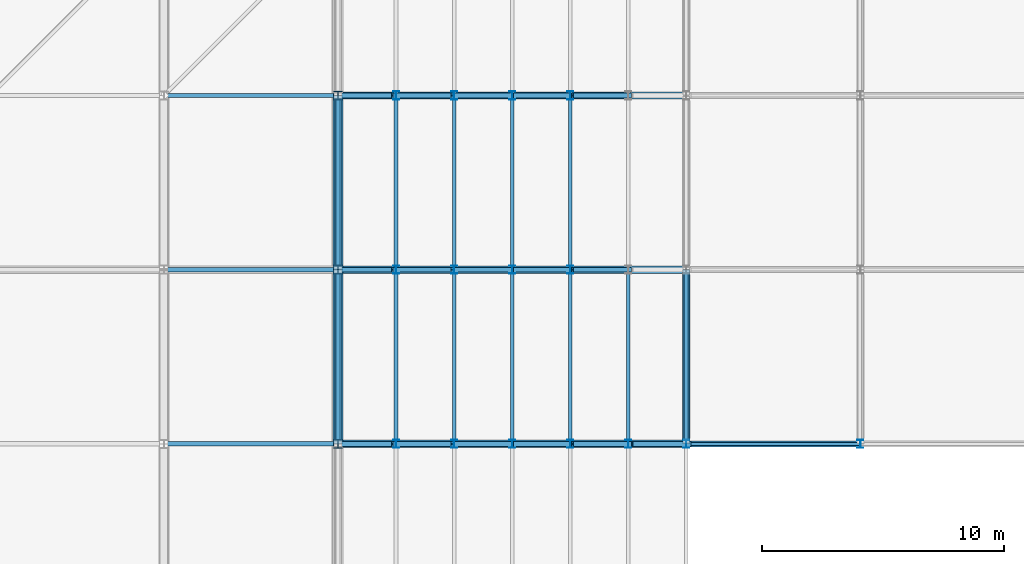
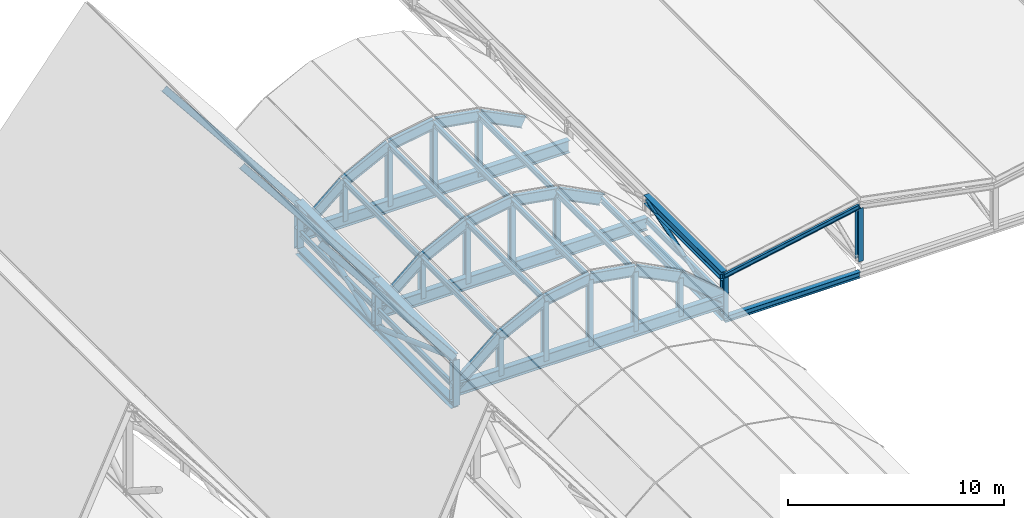
# One storey, part 33 of 60: 59 members, 4 beams.
"""IFC4 building model written with IfcOpenShell, lengths in metres."""

from ifc_helpers import new_model, si_unit, direction, frame, origin, origin_2d, place, context, subcontext, project, spatial, hollow_circle, i_section, extrude, material, material_profile, profile_set, type_object, element, save


model = new_model("IFC4")

# Units and contexts
model_context = context("Model", 3, precision=1e-05, world=origin(), true_north=direction((0.0, 1.0)))
body_context = subcontext(model_context, "Body", "Model", "MODEL_VIEW")
ifc_project = project(units=[si_unit("LENGTHUNIT", "METRE"), si_unit("AREAUNIT", "SQUARE_METRE"), si_unit("VOLUMEUNIT", "CUBIC_METRE"), si_unit("PLANEANGLEUNIT", "RADIAN"), si_unit("MASSUNIT", "GRAM", prefix="KILO")], contexts=[model_context])

# Site, building, storey
site_placement = place(None, origin())
site = spatial("IfcSite", under=ifc_project, at=site_placement, CompositionType="ELEMENT")
building_placement = place(site_placement, origin())
building = spatial("IfcBuilding", under=site, at=building_placement, Name="Vesperath Aquatics Centre", CompositionType="ELEMENT")
storey_placement = place(building_placement, frame((0.0, 0.0, 27.60009765625)))
storey = spatial("IfcBuildingStorey", under=building, at=storey_placement, Name="RF", CompositionType="ELEMENT", Elevation=27.60009765625)

# Beams
ifc_material_1 = material(Name="Steel Q355C", Category="steel")
ifc_material_profile_1 = material_profile(ifc_material_1, i_section(OverallWidth=0.25, OverallDepth=0.340087890625, WebThickness=0.009033203125, FlangeThickness=0.013916015625, FilletRadius=0.02001953125, at=origin_2d()), Name="HM 340x250x9x14")
ifc_profile_set_1 = profile_set([ifc_material_profile_1], Name="Steel Q355C")
beam_type_1 = type_object("IfcBeamType", Name="BM-RB04", PredefinedType="BEAM", material=ifc_profile_set_1)
beam_placement = place(storey_placement, frame((115.199951171875, 64.800048828125, -12.60498046875), z_axis=(1.0, 0.0, 0.0), x_axis=(0.0, 1.0, 0.0)))
element("IfcBeam", 1, at=beam_placement, inside=storey, type_object=beam_type_1, Name="Training Roof Support Beam B12 17-64.8", PredefinedType="BEAM", context=body_context, shape_type="SweptSolid", body=[
    extrude(i_section(OverallWidth=0.25, OverallDepth=0.340087890625, WebThickness=0.009033203125, FlangeThickness=0.013916015625, FilletRadius=0.02001953125, at=origin_2d()), origin(), (0.0, 0.0, 1.0), 7.199951171875),
])
ifc_material_2 = material(Name="Steel Q355D", Category="steel")
ifc_material_profile_2 = material_profile(ifc_material_2, i_section(OverallWidth=0.300048828125, OverallDepth=0.699951171875, WebThickness=0.012939453125, FlangeThickness=0.02392578125, FilletRadius=0.028076171875, at=origin_2d()), Name="HN 700x300x13x24")
ifc_profile_set_2 = profile_set([ifc_material_profile_2], Name="Steel Q355D")
beam_type_2 = type_object("IfcBeamType", Name="BM-RB10", PredefinedType="BEAM", material=ifc_profile_set_2)
for number, where, z_axis, x_axis, name in (
    (2, (100.800048828125, 64.800048828125, -11.550048828125), (1.0, 0.0, 0.0), (0.0, 1.0, 0.0), "Conservatory Arch Tie Beam B08 K"),
    (3, (100.800048828125, 72.0, -11.550048828125), (1.0, 0.0, 0.0), (0.0, 1.0, 0.0), "Conservatory Arch Tie Beam B08 L"),
    (4, (100.800048828125, 79.199951171875, -11.550048828125), (1.0, 0.0, 0.0), (0.0, 1.0, 0.0), "Conservatory Arch Tie Beam B08 M"),
):
    element("IfcBeam", number, at=place(storey_placement, frame(where, z_axis=z_axis, x_axis=x_axis)), inside=storey, type_object=beam_type_2, Name=name, PredefinedType="BEAM", context=body_context, shape_type="SweptSolid", body=[
        extrude(i_section(OverallWidth=0.300048828125, OverallDepth=0.699951171875, WebThickness=0.012939453125, FlangeThickness=0.02392578125, FilletRadius=0.028076171875, at=origin_2d()), origin(), (0.0, 0.0, 1.0), 14.39990234375),
    ])

# Members
ifc_material_profile_3 = material_profile(ifc_material_2, i_section(OverallWidth=0.199951171875, OverallDepth=0.60009765625, WebThickness=0.010986328125, FlangeThickness=0.01708984375, FilletRadius=0.02197265625, at=origin_2d()), Name="HN 600x200x11x17")
ifc_profile_set_3 = profile_set([ifc_material_profile_3], Name="Steel Q355D")
member_type_1 = type_object("IfcMemberType", Name="MB-AR01", PredefinedType="RAFTER", material=ifc_profile_set_3)
member_1_placement = place(storey_placement, frame((100.800048828125, 64.800048828125, -11.400146484375), z_axis=(0.768208468069, 0.0, 0.640199773186), x_axis=(0.0, 1.0, 0.0)))
element("IfcMember", 5, at=member_1_placement, inside=storey, type_object=member_type_1, Name="Conservatory Vault Arch Rib AR01 K-1", PredefinedType="RAFTER", context=body_context, shape_type="SweptSolid", body=[
    extrude(i_section(OverallWidth=0.199951171875, OverallDepth=0.60009765625, WebThickness=0.010986328125, FlangeThickness=0.01708984375, FilletRadius=0.02197265625, at=origin_2d()), origin(), (0.0, 0.0, 1.0), 3.1240234375),
])
member_2_placement = place(storey_placement, frame((103.199951171875, 64.800048828125, -9.400146484375), z_axis=(0.894445386687, 0.0, 0.447177202275), x_axis=(0.0, 1.0, 0.0)))
element("IfcMember", 6, at=member_2_placement, inside=storey, type_object=member_type_1, Name="Conservatory Vault Arch Rib AR01 K-2", PredefinedType="RAFTER", context=body_context, shape_type="SweptSolid", body=[
    extrude(i_section(OverallWidth=0.199951171875, OverallDepth=0.60009765625, WebThickness=0.010986328125, FlangeThickness=0.01708984375, FilletRadius=0.02197265625, at=origin_2d()), origin(), (0.0, 0.0, 1.0), 2.683349609375),
])
for number, where, z_axis, x_axis, name in (
    (7, (105.60009765625, 64.800048828125, -8.2001953125), (0.986383073668, 0.0, 0.16446407505), (0.0, 1.0, 0.0), "Conservatory Vault Arch Rib AR01 K-3"),
    (8, (108.0, 64.800048828125, -7.800048828125), (0.986383073668, 0.0, -0.16446407505), (0.0, 1.0, 0.0), "Conservatory Vault Arch Rib AR01 K-4"),
):
    element("IfcMember", number, at=place(storey_placement, frame(where, z_axis=z_axis, x_axis=x_axis)), inside=storey, type_object=member_type_1, Name=name, PredefinedType="RAFTER", context=body_context, shape_type="SweptSolid", body=[
        extrude(i_section(OverallWidth=0.199951171875, OverallDepth=0.60009765625, WebThickness=0.010986328125, FlangeThickness=0.01708984375, FilletRadius=0.02197265625, at=origin_2d()), origin(), (0.0, 0.0, 1.0), 2.43310546875),
    ])
member_3_placement = place(storey_placement, frame((110.39990234375, 64.800048828125, -8.2001953125), z_axis=(0.894445386687, 0.0, -0.447177202275), x_axis=(0.0, 1.0, 0.0)))
element("IfcMember", 9, at=member_3_placement, inside=storey, type_object=member_type_1, Name="Conservatory Vault Arch Rib AR01 K-5", PredefinedType="RAFTER", context=body_context, shape_type="SweptSolid", body=[
    extrude(i_section(OverallWidth=0.199951171875, OverallDepth=0.60009765625, WebThickness=0.010986328125, FlangeThickness=0.01708984375, FilletRadius=0.02197265625, at=origin_2d()), origin(), (0.0, 0.0, 1.0), 2.683349609375),
])
for number, where, z_axis, x_axis, name in (
    (10, (112.800048828125, 64.800048828125, -9.400146484375), (0.768208468069, 0.0, -0.640199773186), (0.0, 1.0, 0.0), "Conservatory Vault Arch Rib AR01 K-6"),
    (11, (100.800048828125, 72.0, -11.400146484375), (0.768208468069, 0.0, 0.640199773186), (0.0, 1.0, 0.0), "Conservatory Vault Arch Rib AR01 L-1"),
):
    element("IfcMember", number, at=place(storey_placement, frame(where, z_axis=z_axis, x_axis=x_axis)), inside=storey, type_object=member_type_1, Name=name, PredefinedType="RAFTER", context=body_context, shape_type="SweptSolid", body=[
        extrude(i_section(OverallWidth=0.199951171875, OverallDepth=0.60009765625, WebThickness=0.010986328125, FlangeThickness=0.01708984375, FilletRadius=0.02197265625, at=origin_2d()), origin(), (0.0, 0.0, 1.0), 3.1240234375),
    ])
member_4_placement = place(storey_placement, frame((103.199951171875, 72.0, -9.400146484375), z_axis=(0.894445386687, 0.0, 0.447177202275), x_axis=(0.0, 1.0, 0.0)))
element("IfcMember", 12, at=member_4_placement, inside=storey, type_object=member_type_1, Name="Conservatory Vault Arch Rib AR01 L-2", PredefinedType="RAFTER", context=body_context, shape_type="SweptSolid", body=[
    extrude(i_section(OverallWidth=0.199951171875, OverallDepth=0.60009765625, WebThickness=0.010986328125, FlangeThickness=0.01708984375, FilletRadius=0.02197265625, at=origin_2d()), origin(), (0.0, 0.0, 1.0), 2.683349609375),
])
for number, where, z_axis, x_axis, name in (
    (13, (105.60009765625, 72.0, -8.2001953125), (0.986383073668, 0.0, 0.16446407505), (0.0, 1.0, 0.0), "Conservatory Vault Arch Rib AR01 L-3"),
    (14, (108.0, 72.0, -7.800048828125), (0.986383073668, 0.0, -0.16446407505), (0.0, 1.0, 0.0), "Conservatory Vault Arch Rib AR01 L-4"),
):
    element("IfcMember", number, at=place(storey_placement, frame(where, z_axis=z_axis, x_axis=x_axis)), inside=storey, type_object=member_type_1, Name=name, PredefinedType="RAFTER", context=body_context, shape_type="SweptSolid", body=[
        extrude(i_section(OverallWidth=0.199951171875, OverallDepth=0.60009765625, WebThickness=0.010986328125, FlangeThickness=0.01708984375, FilletRadius=0.02197265625, at=origin_2d()), origin(), (0.0, 0.0, 1.0), 2.43310546875),
    ])
member_5_placement = place(storey_placement, frame((110.39990234375, 72.0, -8.2001953125), z_axis=(0.894445386687, 0.0, -0.447177202275), x_axis=(0.0, 1.0, 0.0)))
element("IfcMember", 15, at=member_5_placement, inside=storey, type_object=member_type_1, Name="Conservatory Vault Arch Rib AR01 L-5", PredefinedType="RAFTER", context=body_context, shape_type="SweptSolid", body=[
    extrude(i_section(OverallWidth=0.199951171875, OverallDepth=0.60009765625, WebThickness=0.010986328125, FlangeThickness=0.01708984375, FilletRadius=0.02197265625, at=origin_2d()), origin(), (0.0, 0.0, 1.0), 2.683349609375),
])
member_6_placement = place(storey_placement, frame((100.800048828125, 79.199951171875, -11.400146484375), z_axis=(0.768208468069, 0.0, 0.640199773186), x_axis=(0.0, 1.0, 0.0)))
element("IfcMember", 16, at=member_6_placement, inside=storey, type_object=member_type_1, Name="Conservatory Vault Arch Rib AR01 M-1", PredefinedType="RAFTER", context=body_context, shape_type="SweptSolid", body=[
    extrude(i_section(OverallWidth=0.199951171875, OverallDepth=0.60009765625, WebThickness=0.010986328125, FlangeThickness=0.01708984375, FilletRadius=0.02197265625, at=origin_2d()), origin(), (0.0, 0.0, 1.0), 3.1240234375),
])
member_7_placement = place(storey_placement, frame((103.199951171875, 79.199951171875, -9.400146484375), z_axis=(0.894445386687, 0.0, 0.447177202275), x_axis=(0.0, 1.0, 0.0)))
element("IfcMember", 17, at=member_7_placement, inside=storey, type_object=member_type_1, Name="Conservatory Vault Arch Rib AR01 M-2", PredefinedType="RAFTER", context=body_context, shape_type="SweptSolid", body=[
    extrude(i_section(OverallWidth=0.199951171875, OverallDepth=0.60009765625, WebThickness=0.010986328125, FlangeThickness=0.01708984375, FilletRadius=0.02197265625, at=origin_2d()), origin(), (0.0, 0.0, 1.0), 2.683349609375),
])
for number, where, z_axis, x_axis, name in (
    (18, (105.60009765625, 79.199951171875, -8.2001953125), (0.986383073668, 0.0, 0.16446407505), (0.0, 1.0, 0.0), "Conservatory Vault Arch Rib AR01 M-3"),
    (19, (108.0, 79.199951171875, -7.800048828125), (0.986383073668, 0.0, -0.16446407505), (0.0, 1.0, 0.0), "Conservatory Vault Arch Rib AR01 M-4"),
):
    element("IfcMember", number, at=place(storey_placement, frame(where, z_axis=z_axis, x_axis=x_axis)), inside=storey, type_object=member_type_1, Name=name, PredefinedType="RAFTER", context=body_context, shape_type="SweptSolid", body=[
        extrude(i_section(OverallWidth=0.199951171875, OverallDepth=0.60009765625, WebThickness=0.010986328125, FlangeThickness=0.01708984375, FilletRadius=0.02197265625, at=origin_2d()), origin(), (0.0, 0.0, 1.0), 2.43310546875),
    ])
member_8_placement = place(storey_placement, frame((110.39990234375, 79.199951171875, -8.2001953125), z_axis=(0.894445386687, 0.0, -0.447177202275), x_axis=(0.0, 1.0, 0.0)))
element("IfcMember", 20, at=member_8_placement, inside=storey, type_object=member_type_1, Name="Conservatory Vault Arch Rib AR01 M-5", PredefinedType="RAFTER", context=body_context, shape_type="SweptSolid", body=[
    extrude(i_section(OverallWidth=0.199951171875, OverallDepth=0.60009765625, WebThickness=0.010986328125, FlangeThickness=0.01708984375, FilletRadius=0.02197265625, at=origin_2d()), origin(), (0.0, 0.0, 1.0), 2.683349609375),
])
ifc_material_profile_4 = material_profile(ifc_material_2, i_section(OverallWidth=0.39990234375, OverallDepth=0.39990234375, WebThickness=0.012939453125, FlangeThickness=0.02099609375, FilletRadius=0.02197265625, at=origin_2d()), Name="HW 400x400x13x21")
ifc_profile_set_4 = profile_set([ifc_material_profile_4], Name="Steel Q355D")
member_type_2 = type_object("IfcMemberType", Name="MB-BC01", PredefinedType="CHORD", material=ifc_profile_set_4)
for number, where, z_axis, x_axis, name in (
    (21, (100.800048828125, 64.800048828125, -12.400146484375), (0.0, 1.0, 0.0), (-1.0, 0.0, 0.0), "Natatorium ROOF TRUSS Bottom Chord BC01 G15-10"),
    (22, (100.800048828125, 72.0, -12.400146484375), (0.0, 1.0, 0.0), (-1.0, 0.0, 0.0), "Natatorium ROOF TRUSS Bottom Chord BC01 G15-11"),
):
    element("IfcMember", number, at=place(storey_placement, frame(where, z_axis=z_axis, x_axis=x_axis)), inside=storey, type_object=member_type_2, Name=name, PredefinedType="CHORD", context=body_context, shape_type="SweptSolid", body=[
        extrude(i_section(OverallWidth=0.39990234375, OverallDepth=0.39990234375, WebThickness=0.012939453125, FlangeThickness=0.02099609375, FilletRadius=0.02197265625, at=origin_2d()), origin(), (0.0, 0.0, 1.0), 7.199951171875),
    ])
ifc_material_profile_5 = material_profile(ifc_material_2, i_section(OverallWidth=0.300048828125, OverallDepth=0.389892578125, WebThickness=0.010009765625, FlangeThickness=0.01611328125, FilletRadius=0.02197265625, at=origin_2d()), Name="HM 390x300x10x16")
ifc_profile_set_5 = profile_set([ifc_material_profile_5], Name="Steel Q355D")
member_type_3 = type_object("IfcMemberType", Name="MB-BC03", PredefinedType="CHORD", material=ifc_profile_set_5)
member_9_placement = place(storey_placement, frame((115.199951171875, 64.800048828125, -12.5), z_axis=(0.0, 1.0, 0.0), x_axis=(-1.0, 0.0, 0.0)))
element("IfcMember", 23, at=member_9_placement, inside=storey, type_object=member_type_3, Name="Training Hall ROOF TRUSS Bottom Chord BC03 G17-1", PredefinedType="CHORD", context=body_context, shape_type="SweptSolid", body=[
    extrude(i_section(OverallWidth=0.300048828125, OverallDepth=0.389892578125, WebThickness=0.010009765625, FlangeThickness=0.01611328125, FilletRadius=0.02197265625, at=origin_2d()), origin(), (0.0, 0.0, 1.0), 7.199951171875),
])
ifc_material_profile_6 = material_profile(ifc_material_1, i_section(OverallWidth=0.175048828125, OverallDepth=0.35009765625, WebThickness=0.007080078125, FlangeThickness=0.010986328125, FilletRadius=0.012939453125, at=origin_2d()), Name="HN 350x175x7x11")
ifc_profile_set_6 = profile_set([ifc_material_profile_6], Name="Steel Q355C")
member_type_4 = type_object("IfcMemberType", Name="MB-PR01", PredefinedType="PURLIN", material=ifc_profile_set_6)
for number, where, z_axis, x_axis, name in (
    (24, (93.60009765625, 64.800048828125, -0.800048828125), (0.624692464322, 0.0, -0.780870876022), (0.0, 1.0, 0.0), "Natatorium Roof Purlin PR01 B14-8"),
    (25, (93.60009765625, 72.0, -0.800048828125), (0.624692464322, 0.0, -0.780870876022), (0.0, 1.0, 0.0), "Natatorium Roof Purlin PR01 B14-9"),
    (26, (93.60009765625, 79.199951171875, -0.800048828125), (0.624692464322, 0.0, -0.780870876022), (0.0, 1.0, 0.0), "Natatorium Roof Purlin PR01 B14-10"),
):
    element("IfcMember", number, at=place(storey_placement, frame(where, z_axis=z_axis, x_axis=x_axis)), inside=storey, type_object=member_type_4, Name=name, PredefinedType="PURLIN", context=body_context, shape_type="SweptSolid", body=[
        extrude(i_section(OverallWidth=0.175048828125, OverallDepth=0.35009765625, WebThickness=0.007080078125, FlangeThickness=0.010986328125, FilletRadius=0.012939453125, at=origin_2d()), origin(), (0.0, 0.0, 1.0), 11.525634765625),
    ])
ifc_material_profile_7 = material_profile(ifc_material_1, i_section(OverallWidth=0.14990234375, OverallDepth=0.300048828125, WebThickness=0.006591796875, FlangeThickness=0.009033203125, FilletRadius=0.012939453125, at=origin_2d()), Name="HN 300x150x6.5x9")
ifc_profile_set_7 = profile_set([ifc_material_profile_7], Name="Steel Q355C")
member_type_5 = type_object("IfcMemberType", Name="MB-PR02", PredefinedType="PURLIN", material=ifc_profile_set_7)
for number, where, z_axis, x_axis, name in (
    (27, (100.800048828125, 64.800048828125, -11.400146484375), (0.0, 1.0, 0.0), (-1.0, 0.0, 0.0), "Conservatory Vault Purlin PR02 K-1"),
    (28, (103.199951171875, 64.800048828125, -9.400146484375), (0.0, 1.0, 0.0), (-1.0, 0.0, 0.0), "Conservatory Vault Purlin PR02 K-2"),
    (29, (105.60009765625, 64.800048828125, -8.2001953125), (0.0, 1.0, 0.0), (-1.0, 0.0, 0.0), "Conservatory Vault Purlin PR02 K-3"),
    (30, (108.0, 64.800048828125, -7.800048828125), (0.0, 1.0, 0.0), (-1.0, 0.0, 0.0), "Conservatory Vault Purlin PR02 K-4"),
    (31, (110.39990234375, 64.800048828125, -8.2001953125), (0.0, 1.0, 0.0), (-1.0, 0.0, 0.0), "Conservatory Vault Purlin PR02 K-5"),
    (32, (112.800048828125, 64.800048828125, -9.400146484375), (0.0, 1.0, 0.0), (-1.0, 0.0, 0.0), "Conservatory Vault Purlin PR02 K-6"),
    (33, (115.199951171875, 64.800048828125, -11.400146484375), (0.0, 1.0, 0.0), (-1.0, 0.0, 0.0), "Conservatory Vault Purlin PR02 K-7"),
    (34, (100.800048828125, 72.0, -11.400146484375), (0.0, 1.0, 0.0), (-1.0, 0.0, 0.0), "Conservatory Vault Purlin PR02 L-1"),
    (35, (103.199951171875, 72.0, -9.400146484375), (0.0, 1.0, 0.0), (-1.0, 0.0, 0.0), "Conservatory Vault Purlin PR02 L-2"),
    (36, (105.60009765625, 72.0, -8.2001953125), (0.0, 1.0, 0.0), (-1.0, 0.0, 0.0), "Conservatory Vault Purlin PR02 L-3"),
    (37, (108.0, 72.0, -7.800048828125), (0.0, 1.0, 0.0), (-1.0, 0.0, 0.0), "Conservatory Vault Purlin PR02 L-4"),
    (38, (110.39990234375, 72.0, -8.2001953125), (0.0, 1.0, 0.0), (-1.0, 0.0, 0.0), "Conservatory Vault Purlin PR02 L-5"),
):
    element("IfcMember", number, at=place(storey_placement, frame(where, z_axis=z_axis, x_axis=x_axis)), inside=storey, type_object=member_type_5, Name=name, PredefinedType="PURLIN", context=body_context, shape_type="SweptSolid", body=[
        extrude(i_section(OverallWidth=0.14990234375, OverallDepth=0.300048828125, WebThickness=0.006591796875, FlangeThickness=0.009033203125, FilletRadius=0.012939453125, at=origin_2d()), origin(), (0.0, 0.0, 1.0), 7.199951171875),
    ])
ifc_material_profile_8 = material_profile(ifc_material_1, i_section(OverallWidth=0.125, OverallDepth=0.25, WebThickness=0.006103515625, FlangeThickness=0.009033203125, FilletRadius=0.010009765625, at=origin_2d()), Name="HN 250x125x6x9")
ifc_profile_set_8 = profile_set([ifc_material_profile_8], Name="Steel Q355C")
member_type_6 = type_object("IfcMemberType", Name="MB-PR03", PredefinedType="PURLIN", material=ifc_profile_set_8)
member_10_placement = place(storey_placement, frame((115.199951171875, 64.800048828125, -10.2001953125), z_axis=(0.98161140514, 0.0, 0.190890149825), x_axis=(0.0, 1.0, 0.0)))
element("IfcMember", 39, at=member_10_placement, inside=storey, type_object=member_type_6, Name="Training Hall Roof Purlin PR03 17-1", PredefinedType="PURLIN", context=body_context, shape_type="SweptSolid", body=[
    extrude(i_section(OverallWidth=0.125, OverallDepth=0.25, WebThickness=0.006103515625, FlangeThickness=0.009033203125, FilletRadius=0.010009765625, at=origin_2d()), origin(), (0.0, 0.0, 1.0), 7.334716796875),
])
ifc_material_profile_9 = material_profile(ifc_material_2, i_section(OverallWidth=0.39990234375, OverallDepth=0.39990234375, WebThickness=0.012939453125, FlangeThickness=0.02099609375, FilletRadius=0.02197265625, at=origin_2d()), Name="HW 400x400x13x21")
ifc_profile_set_9 = profile_set([ifc_material_profile_9], Name="Steel Q355D")
member_type_7 = type_object("IfcMemberType", Name="MB-TC02", PredefinedType="CHORD", material=ifc_profile_set_9)
for number, where, z_axis, x_axis, name in (
    (40, (100.800048828125, 64.800048828125, -9.800048828125), (0.0, 1.0, 0.0), (-1.0, 0.0, 0.0), "Natatorium ROOF TRUSS Top Chord TC02 G15-10"),
    (41, (100.800048828125, 72.0, -9.800048828125), (0.0, 1.0, 0.0), (-1.0, 0.0, 0.0), "Natatorium ROOF TRUSS Top Chord TC02 G15-11"),
):
    element("IfcMember", number, at=place(storey_placement, frame(where, z_axis=z_axis, x_axis=x_axis)), inside=storey, type_object=member_type_7, Name=name, PredefinedType="CHORD", context=body_context, shape_type="SweptSolid", body=[
        extrude(i_section(OverallWidth=0.39990234375, OverallDepth=0.39990234375, WebThickness=0.012939453125, FlangeThickness=0.02099609375, FilletRadius=0.02197265625, at=origin_2d()), origin(), (0.0, 0.0, 1.0), 7.199951171875),
    ])
ifc_material_profile_10 = material_profile(ifc_material_2, i_section(OverallWidth=0.300048828125, OverallDepth=0.488037109375, WebThickness=0.010986328125, FlangeThickness=0.01806640625, FilletRadius=0.02587890625, at=origin_2d()), Name="HM 488x300x11x18")
ifc_profile_set_10 = profile_set([ifc_material_profile_10], Name="Steel Q355D")
member_type_8 = type_object("IfcMemberType", Name="MB-TC04", PredefinedType="CHORD", material=ifc_profile_set_10)
member_11_placement = place(storey_placement, frame((115.199951171875, 64.800048828125, -10.2001953125), z_axis=(0.0, 1.0, 0.0), x_axis=(-1.0, 0.0, 0.0)))
element("IfcMember", 42, at=member_11_placement, inside=storey, type_object=member_type_8, Name="Training Hall ROOF TRUSS Top Chord TC04 G17-1", PredefinedType="CHORD", context=body_context, shape_type="SweptSolid", body=[
    extrude(i_section(OverallWidth=0.300048828125, OverallDepth=0.488037109375, WebThickness=0.010986328125, FlangeThickness=0.01806640625, FilletRadius=0.02587890625, at=origin_2d()), origin(), (0.0, 0.0, 1.0), 7.199951171875),
])
ifc_material_profile_11 = material_profile(ifc_material_2, hollow_circle(Radius=0.136474609375, WallThickness=0.011962890625, at=origin_2d()), Name="CHS 273.0x12")
ifc_profile_set_11 = profile_set([ifc_material_profile_11], Name="Steel Q355D")
member_type_9 = type_object("IfcMemberType", Name="MB-TD02", PredefinedType="BRACE", material=ifc_profile_set_11)
for number, where, z_axis, x_axis, name in (
    (43, (100.800048828125, 64.875244140625, -9.8271484375), (0.0, 0.940544360889, -0.339670877761), (-1.0, 0.0, 0.0), "Natatorium ROOF TRUSS Diagonal TD02 G15-10"),
    (44, (100.800048828125, 72.0751953125, -12.373046875), (0.0, 0.940544360889, 0.339670877761), (-1.0, 0.0, 0.0), "Natatorium ROOF TRUSS Diagonal TD02 G15-11"),
):
    element("IfcMember", number, at=place(storey_placement, frame(where, z_axis=z_axis, x_axis=x_axis)), inside=storey, type_object=member_type_9, Name=name, PredefinedType="BRACE", context=body_context, shape_type="SweptSolid", body=[
        extrude(hollow_circle(Radius=0.136474609375, WallThickness=0.011962890625, at=origin_2d()), origin(), (0.0, 0.0, 1.0), 7.4951171875),
    ])
ifc_material_profile_12 = material_profile(ifc_material_2, hollow_circle(Radius=0.109619140625, WallThickness=0.010009765625, at=origin_2d()), Name="CHS 219.1x10")
ifc_profile_set_12 = profile_set([ifc_material_profile_12], Name="Steel Q355D")
member_type_10 = type_object("IfcMemberType", Name="MB-TD04", PredefinedType="BRACE", material=ifc_profile_set_12)
member_12_placement = place(storey_placement, frame((115.199951171875, 64.876220703125, -12.475830078125), z_axis=(0.0, 0.952571930303, 0.304313518594), x_axis=(-1.0, 0.0, 0.0)))
element("IfcMember", 45, at=member_12_placement, inside=storey, type_object=member_type_10, Name="Training Hall ROOF TRUSS Diagonal TD04 G17-1", PredefinedType="BRACE", context=body_context, shape_type="SweptSolid", body=[
    extrude(hollow_circle(Radius=0.109619140625, WallThickness=0.010009765625, at=origin_2d()), origin(), (0.0, 0.0, 1.0), 7.3984375),
])
ifc_material_profile_13 = material_profile(ifc_material_2, i_section(OverallWidth=0.35009765625, OverallDepth=0.35009765625, WebThickness=0.011962890625, FlangeThickness=0.01904296875, FilletRadius=0.02001953125, at=origin_2d()), Name="HW 350x350x12x19")
ifc_profile_set_13 = profile_set([ifc_material_profile_13], Name="Steel Q355D")
member_type_11 = type_object("IfcMemberType", Name="MB-TP01", PredefinedType="POST", material=ifc_profile_set_13)
for number, where, z_axis, x_axis, name in (
    (46, (100.800048828125, 64.800048828125, -12.400146484375), (0.0, 0.0, 1.0), (1.0, 0.0, 0.0), "Natatorium ROOF TRUSS Post TP01 G15-10"),
    (47, (100.800048828125, 72.0, -12.400146484375), (0.0, 0.0, 1.0), (1.0, 0.0, 0.0), "Natatorium ROOF TRUSS Post TP01 G15-11"),
    (48, (100.800048828125, 79.199951171875, -12.400146484375), (0.0, 0.0, 1.0), (1.0, 0.0, 0.0), "Natatorium ROOF TRUSS Post TP01 G15-12"),
):
    element("IfcMember", number, at=place(storey_placement, frame(where, z_axis=z_axis, x_axis=x_axis)), inside=storey, type_object=member_type_11, Name=name, PredefinedType="POST", context=body_context, shape_type="SweptSolid", body=[
        extrude(i_section(OverallWidth=0.35009765625, OverallDepth=0.35009765625, WebThickness=0.011962890625, FlangeThickness=0.01904296875, FilletRadius=0.02001953125, at=origin_2d()), origin(), (0.0, 0.0, 1.0), 2.60009765625),
    ])
ifc_material_profile_14 = material_profile(ifc_material_2, i_section(OverallWidth=0.25, OverallDepth=0.340087890625, WebThickness=0.009033203125, FlangeThickness=0.013916015625, FilletRadius=0.02001953125, at=origin_2d()), Name="HM 340x250x9x14")
ifc_profile_set_14 = profile_set([ifc_material_profile_14], Name="Steel Q355D")
member_type_12 = type_object("IfcMemberType", Name="MB-TP02", PredefinedType="POST", material=ifc_profile_set_14)
member_13_placement = place(storey_placement, frame((115.199951171875, 64.800048828125, -12.5), z_axis=(0.0, 0.0, 1.0), x_axis=(1.0, 0.0, 0.0)))
element("IfcMember", 49, at=member_13_placement, inside=storey, type_object=member_type_12, Name="Training Hall ROOF TRUSS Post TP02 G17-1", PredefinedType="POST", context=body_context, shape_type="SweptSolid", body=[
    extrude(i_section(OverallWidth=0.25, OverallDepth=0.340087890625, WebThickness=0.009033203125, FlangeThickness=0.013916015625, FilletRadius=0.02001953125, at=origin_2d()), origin(), (0.0, 0.0, 1.0), 2.2998046875),
])
member_14_placement = place(storey_placement, frame((122.39990234375, 64.800048828125, -11.800048828125), z_axis=(0.0, 0.0, 1.0), x_axis=(1.0, 0.0, 0.0)))
element("IfcMember", 50, at=member_14_placement, inside=storey, type_object=member_type_12, Name="Training Hall ROOF TRUSS Post TP02 G18-1", PredefinedType="POST", context=body_context, shape_type="SweptSolid", body=[
    extrude(i_section(OverallWidth=0.25, OverallDepth=0.340087890625, WebThickness=0.009033203125, FlangeThickness=0.013916015625, FilletRadius=0.02001953125, at=origin_2d()), origin(), (0.0, 0.0, 1.0), 3.0),
])
member_15_placement = place(storey_placement, frame((103.199951171875, 64.800048828125, -11.550048828125), z_axis=(0.0, 0.0, 1.0), x_axis=(1.0, 0.0, 0.0)))
element("IfcMember", 51, at=member_15_placement, inside=storey, type_object=member_type_12, Name="Conservatory Vault Post TP02 K-1", PredefinedType="POST", context=body_context, shape_type="SweptSolid", body=[
    extrude(i_section(OverallWidth=0.25, OverallDepth=0.340087890625, WebThickness=0.009033203125, FlangeThickness=0.013916015625, FilletRadius=0.02001953125, at=origin_2d()), origin(), (0.0, 0.0, 1.0), 2.14990234375),
])
member_16_placement = place(storey_placement, frame((105.60009765625, 64.800048828125, -11.550048828125), z_axis=(0.0, 0.0, 1.0), x_axis=(1.0, 0.0, 0.0)))
element("IfcMember", 52, at=member_16_placement, inside=storey, type_object=member_type_12, Name="Conservatory Vault Post TP02 K-2", PredefinedType="POST", context=body_context, shape_type="SweptSolid", body=[
    extrude(i_section(OverallWidth=0.25, OverallDepth=0.340087890625, WebThickness=0.009033203125, FlangeThickness=0.013916015625, FilletRadius=0.02001953125, at=origin_2d()), origin(), (0.0, 0.0, 1.0), 3.349853515625),
])
member_17_placement = place(storey_placement, frame((108.0, 64.800048828125, -11.550048828125), z_axis=(0.0, 0.0, 1.0), x_axis=(1.0, 0.0, 0.0)))
element("IfcMember", 53, at=member_17_placement, inside=storey, type_object=member_type_12, Name="Conservatory Vault Post TP02 K-3", PredefinedType="POST", context=body_context, shape_type="SweptSolid", body=[
    extrude(i_section(OverallWidth=0.25, OverallDepth=0.340087890625, WebThickness=0.009033203125, FlangeThickness=0.013916015625, FilletRadius=0.02001953125, at=origin_2d()), origin(), (0.0, 0.0, 1.0), 3.75),
])
member_18_placement = place(storey_placement, frame((110.39990234375, 64.800048828125, -11.550048828125), z_axis=(0.0, 0.0, 1.0), x_axis=(1.0, 0.0, 0.0)))
element("IfcMember", 54, at=member_18_placement, inside=storey, type_object=member_type_12, Name="Conservatory Vault Post TP02 K-4", PredefinedType="POST", context=body_context, shape_type="SweptSolid", body=[
    extrude(i_section(OverallWidth=0.25, OverallDepth=0.340087890625, WebThickness=0.009033203125, FlangeThickness=0.013916015625, FilletRadius=0.02001953125, at=origin_2d()), origin(), (0.0, 0.0, 1.0), 3.349853515625),
])
for number, where, z_axis, x_axis, name in (
    (55, (112.800048828125, 64.800048828125, -11.550048828125), (0.0, 0.0, 1.0), (1.0, 0.0, 0.0), "Conservatory Vault Post TP02 K-5"),
    (56, (103.199951171875, 72.0, -11.550048828125), (0.0, 0.0, 1.0), (1.0, 0.0, 0.0), "Conservatory Vault Post TP02 L-1"),
):
    element("IfcMember", number, at=place(storey_placement, frame(where, z_axis=z_axis, x_axis=x_axis)), inside=storey, type_object=member_type_12, Name=name, PredefinedType="POST", context=body_context, shape_type="SweptSolid", body=[
        extrude(i_section(OverallWidth=0.25, OverallDepth=0.340087890625, WebThickness=0.009033203125, FlangeThickness=0.013916015625, FilletRadius=0.02001953125, at=origin_2d()), origin(), (0.0, 0.0, 1.0), 2.14990234375),
    ])
member_19_placement = place(storey_placement, frame((105.60009765625, 72.0, -11.550048828125), z_axis=(0.0, 0.0, 1.0), x_axis=(1.0, 0.0, 0.0)))
element("IfcMember", 57, at=member_19_placement, inside=storey, type_object=member_type_12, Name="Conservatory Vault Post TP02 L-2", PredefinedType="POST", context=body_context, shape_type="SweptSolid", body=[
    extrude(i_section(OverallWidth=0.25, OverallDepth=0.340087890625, WebThickness=0.009033203125, FlangeThickness=0.013916015625, FilletRadius=0.02001953125, at=origin_2d()), origin(), (0.0, 0.0, 1.0), 3.349853515625),
])
member_20_placement = place(storey_placement, frame((108.0, 72.0, -11.550048828125), z_axis=(0.0, 0.0, 1.0), x_axis=(1.0, 0.0, 0.0)))
element("IfcMember", 58, at=member_20_placement, inside=storey, type_object=member_type_12, Name="Conservatory Vault Post TP02 L-3", PredefinedType="POST", context=body_context, shape_type="SweptSolid", body=[
    extrude(i_section(OverallWidth=0.25, OverallDepth=0.340087890625, WebThickness=0.009033203125, FlangeThickness=0.013916015625, FilletRadius=0.02001953125, at=origin_2d()), origin(), (0.0, 0.0, 1.0), 3.75),
])
member_21_placement = place(storey_placement, frame((110.39990234375, 72.0, -11.550048828125), z_axis=(0.0, 0.0, 1.0), x_axis=(1.0, 0.0, 0.0)))
element("IfcMember", 59, at=member_21_placement, inside=storey, type_object=member_type_12, Name="Conservatory Vault Post TP02 L-4", PredefinedType="POST", context=body_context, shape_type="SweptSolid", body=[
    extrude(i_section(OverallWidth=0.25, OverallDepth=0.340087890625, WebThickness=0.009033203125, FlangeThickness=0.013916015625, FilletRadius=0.02001953125, at=origin_2d()), origin(), (0.0, 0.0, 1.0), 3.349853515625),
])
member_22_placement = place(storey_placement, frame((103.199951171875, 79.199951171875, -11.550048828125), z_axis=(0.0, 0.0, 1.0), x_axis=(1.0, 0.0, 0.0)))
element("IfcMember", 60, at=member_22_placement, inside=storey, type_object=member_type_12, Name="Conservatory Vault Post TP02 M-1", PredefinedType="POST", context=body_context, shape_type="SweptSolid", body=[
    extrude(i_section(OverallWidth=0.25, OverallDepth=0.340087890625, WebThickness=0.009033203125, FlangeThickness=0.013916015625, FilletRadius=0.02001953125, at=origin_2d()), origin(), (0.0, 0.0, 1.0), 2.14990234375),
])
member_23_placement = place(storey_placement, frame((105.60009765625, 79.199951171875, -11.550048828125), z_axis=(0.0, 0.0, 1.0), x_axis=(1.0, 0.0, 0.0)))
element("IfcMember", 61, at=member_23_placement, inside=storey, type_object=member_type_12, Name="Conservatory Vault Post TP02 M-2", PredefinedType="POST", context=body_context, shape_type="SweptSolid", body=[
    extrude(i_section(OverallWidth=0.25, OverallDepth=0.340087890625, WebThickness=0.009033203125, FlangeThickness=0.013916015625, FilletRadius=0.02001953125, at=origin_2d()), origin(), (0.0, 0.0, 1.0), 3.349853515625),
])
member_24_placement = place(storey_placement, frame((108.0, 79.199951171875, -11.550048828125), z_axis=(0.0, 0.0, 1.0), x_axis=(1.0, 0.0, 0.0)))
element("IfcMember", 62, at=member_24_placement, inside=storey, type_object=member_type_12, Name="Conservatory Vault Post TP02 M-3", PredefinedType="POST", context=body_context, shape_type="SweptSolid", body=[
    extrude(i_section(OverallWidth=0.25, OverallDepth=0.340087890625, WebThickness=0.009033203125, FlangeThickness=0.013916015625, FilletRadius=0.02001953125, at=origin_2d()), origin(), (0.0, 0.0, 1.0), 3.75),
])
member_25_placement = place(storey_placement, frame((110.39990234375, 79.199951171875, -11.550048828125), z_axis=(0.0, 0.0, 1.0), x_axis=(1.0, 0.0, 0.0)))
element("IfcMember", 63, at=member_25_placement, inside=storey, type_object=member_type_12, Name="Conservatory Vault Post TP02 M-4", PredefinedType="POST", context=body_context, shape_type="SweptSolid", body=[
    extrude(i_section(OverallWidth=0.25, OverallDepth=0.340087890625, WebThickness=0.009033203125, FlangeThickness=0.013916015625, FilletRadius=0.02001953125, at=origin_2d()), origin(), (0.0, 0.0, 1.0), 3.349853515625),
])

save(model, "model.ifc")
